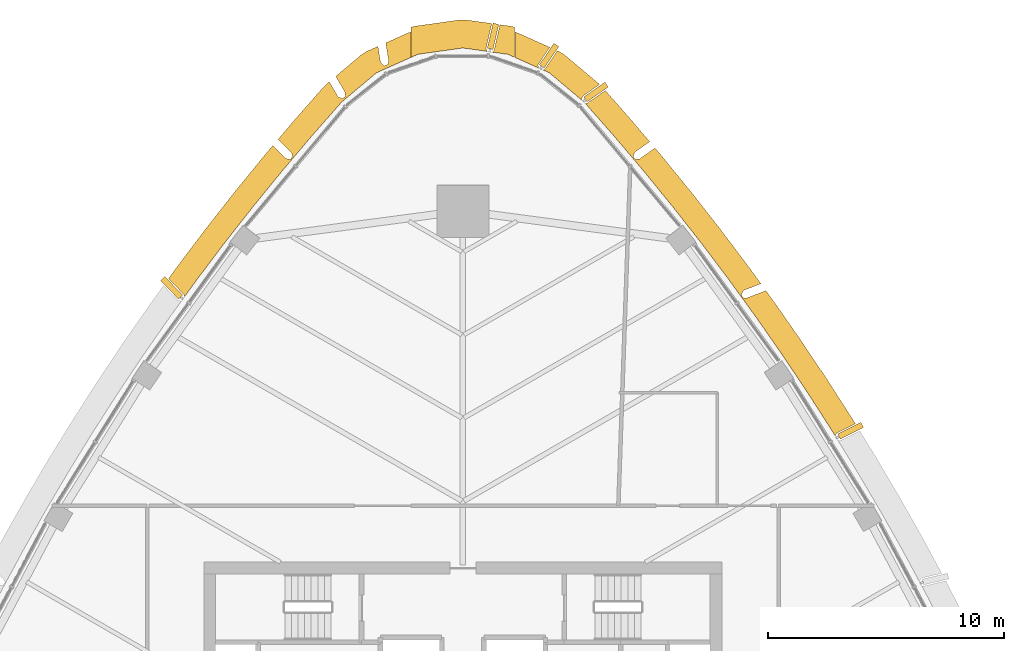
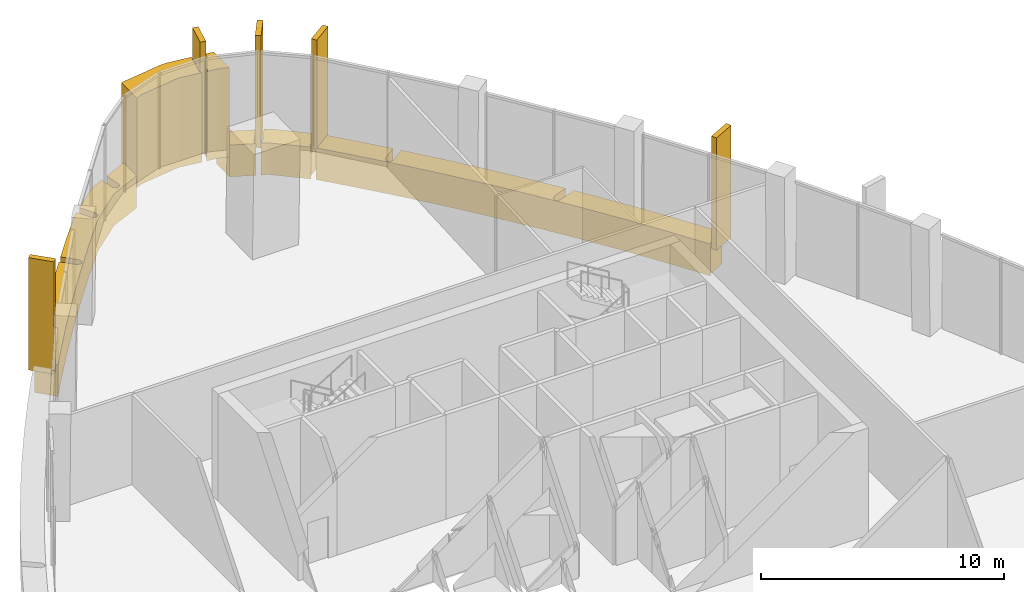
# One storey, part 18 of 19: 11 coverings.
"""IFC4 building model written with IfcOpenShell, lengths in metres."""

import ifcopenshell
import ifcopenshell.guid

model = None  # the IFC model being written
_history = None  # IfcOwnerHistory: only IFC2X3 demands one
_inside = {}  # id of a spatial element -> (the spatial element, [elements in it])
_under = {}  # id of a project, library or spatial element -> (it, [spatial elements below it])
_declared = {}  # id of a project -> (the project, [libraries it declares])
_typed = {}  # id of a type object -> (the type object, [elements of that type])
_made_of = {}  # id of a material, layer set ... -> (it, [elements and type objects made of it])


def new_model(schema):
    """Start an empty IFC model of exactly this schema.

    Asked for "IFC4X3", IfcOpenShell would pick the latest addendum, in which some entities
    have other attributes; the version numbers below select the first issue.
    IFC2X3 requires an IfcOwnerHistory on every rooted entity: one is made here for all.
    """
    global model, _history
    if schema == "IFC4X3":
        model = ifcopenshell.file(schema_version=(4, 3, 0, 0))
    else:
        model = ifcopenshell.file(schema=schema)
    _inside.clear()
    _under.clear()
    _declared.clear()
    _typed.clear()
    _made_of.clear()
    _history = None
    if model.schema == "IFC2X3":
        org = make("IfcOrganization", Name="unknown")
        user = make(
            "IfcPersonAndOrganization",
            ThePerson=make("IfcPerson", FamilyName="unknown"),
            TheOrganization=org,
        )
        app = make(
            "IfcApplication",
            ApplicationDeveloper=org,
            Version="unknown",
            ApplicationFullName="unknown",
            ApplicationIdentifier="unknown",
        )
        _history = make(
            "IfcOwnerHistory",
            OwningUser=user,
            OwningApplication=app,
            ChangeAction="ADDED",
            CreationDate=0,
        )
    return model


def make(cls, **values):
    """One entity of the class cls with the attributes given. An attribute that is None is left unset."""
    return model.create_entity(
        cls, **{name: value for name, value in values.items() if value is not None}
    )


def rooted(cls, **values):
    """An entity with a GlobalId (a new one), such as an element, a storey or a relation."""
    return make(cls, GlobalId=ifcopenshell.guid.new(), OwnerHistory=_history, **values)


def si_unit(unit_type, name, prefix=None):
    """IfcSIUnit, for example si_unit("LENGTHUNIT", "METRE", prefix="MILLI")."""
    return make("IfcSIUnit", UnitType=unit_type, Prefix=prefix, Name=name)


def assignment(units):
    """IfcUnitAssignment: the units of a project."""
    return None if units is None else make("IfcUnitAssignment", Units=units)


def point(xyz):
    """IfcCartesianPoint."""
    return None if xyz is None else make("IfcCartesianPoint", Coordinates=xyz)


def direction(xyz):
    """IfcDirection."""
    return None if xyz is None else make("IfcDirection", DirectionRatios=xyz)


def frame(location, z_axis=None, x_axis=None):
    """IfcAxis2Placement3D, a coordinate frame: its origin and axes. An axis left out is left unset."""
    return make(
        "IfcAxis2Placement3D",
        Location=point(location),
        Axis=direction(z_axis),
        RefDirection=direction(x_axis),
    )


def frame_2d(location, x_axis=None):
    """IfcAxis2Placement2D, a coordinate frame in the plane: its origin and x axis."""
    return make(
        "IfcAxis2Placement2D", Location=point(location), RefDirection=direction(x_axis)
    )


def origin():
    """The frame at (0, 0, 0) with its axes left unset."""
    return frame((0.0, 0.0, 0.0))


def origin_2d():
    """The frame at (0, 0) in the plane with its x axis left unset."""
    return frame_2d((0.0, 0.0))


def place(relative_to, where):
    """IfcLocalPlacement: puts the frame where relative to a parent placement (None: the world)."""
    return make(
        "IfcLocalPlacement", PlacementRelTo=relative_to, RelativePlacement=where
    )


def context(
    kind, dimensions, precision=None, world=None, true_north=None, identifier=None
):
    """IfcGeometricRepresentationContext, for example the 3D "Model" context."""
    return make(
        "IfcGeometricRepresentationContext",
        ContextIdentifier=identifier,
        ContextType=kind,
        CoordinateSpaceDimension=dimensions,
        Precision=precision,
        WorldCoordinateSystem=world,
        TrueNorth=true_north,
    )


def subcontext(parent, identifier, kind, view, scale=None):
    """IfcGeometricRepresentationSubContext, for example "Body" below "Model"."""
    return make(
        "IfcGeometricRepresentationSubContext",
        ContextIdentifier=identifier,
        ContextType=kind,
        ParentContext=parent,
        TargetScale=scale,
        TargetView=view,
    )


def project(units=None, contexts=None):
    """IfcProject with its units and contexts."""
    return rooted(
        "IfcProject",
        Name="project",
        RepresentationContexts=contexts,
        UnitsInContext=assignment(units),
    )


def spatial(cls, under=None, at=None, **own):
    """A site, building, storey or space (cls), placed at a placement, below another one or the project."""
    s = rooted(cls, ObjectPlacement=at, **own)
    if under is not None:
        _under.setdefault(under.id(), (under, []))[1].append(s)
    return s


def polyline(points):
    """IfcPolyline through the points."""
    return make("IfcPolyline", Points=[point(p) for p in points])


def profile(cls, at=None, kind="AREA", **sizes):
    """A parametric profile (cls). Its sizes go by their IFC names, for example OverallWidth=200.0."""
    return make(cls, ProfileType=kind, Position=at, **sizes)


def rectangle(**sizes):
    """IfcRectangleProfileDef."""
    return profile("IfcRectangleProfileDef", **sizes)


def outline(outer, holes=None, kind="AREA"):
    """IfcArbitraryClosedProfileDef: a profile drawn as a closed curve; with holes, ...WithVoids."""
    if holes is None:
        return make("IfcArbitraryClosedProfileDef", ProfileType=kind, OuterCurve=outer)
    return make(
        "IfcArbitraryProfileDefWithVoids",
        ProfileType=kind,
        OuterCurve=outer,
        InnerCurves=holes,
    )


def extrude(swept, where, along, depth):
    """IfcExtrudedAreaSolid: the profile swept, set in the frame where, extruded along a direction by depth."""
    return make(
        "IfcExtrudedAreaSolid",
        SweptArea=swept,
        Position=where,
        ExtrudedDirection=direction(along),
        Depth=depth,
    )


def shape(context_of_items, identifier, shape_type, items):
    """IfcShapeRepresentation: the items that make up one representation, for example the "Body"."""
    return make(
        "IfcShapeRepresentation",
        ContextOfItems=context_of_items,
        RepresentationIdentifier=identifier,
        RepresentationType=shape_type,
        Items=items,
    )


def material(Name=None, Category=None):
    """IfcMaterial."""
    return make("IfcMaterial", Name=Name, Category=Category)


def layer(
    of_material, thickness, ventilated=None, Name=None, Category=None, Priority=None
):
    """IfcMaterialLayer: one layer of a wall or slab, of a material (None: an air gap)."""
    return make(
        "IfcMaterialLayer",
        Material=of_material,
        LayerThickness=thickness,
        IsVentilated=ventilated,
        Name=Name,
        Category=Category,
        Priority=Priority,
    )


def layer_set(layers, Name=None):
    """IfcMaterialLayerSet."""
    return make("IfcMaterialLayerSet", MaterialLayers=layers, LayerSetName=Name)


def material_profile(
    of_material, cross_section, Name=None, Category=None, Priority=None
):
    """IfcMaterialProfile: a cross section and its material."""
    return make(
        "IfcMaterialProfile",
        Name=Name,
        Material=of_material,
        Profile=cross_section,
        Priority=Priority,
        Category=Category,
    )


def profile_set(profiles, Name=None, composite=None):
    """IfcMaterialProfileSet."""
    return make(
        "IfcMaterialProfileSet",
        Name=Name,
        MaterialProfiles=profiles,
        CompositeProfile=composite,
    )


def made_of(thing, what):
    """Note that an element or type object is made of a material, layer set ...; save() writes the relation."""
    if what is not None:
        _made_of.setdefault(what.id(), (what, []))[1].append(thing)
    return thing


def type_object(cls, material=None, **own):
    """A type object (cls), such as IfcWallType, which elements share."""
    return made_of(rooted(cls, **own), material)


def element(
    cls,
    number,
    at=None,
    inside=None,
    cuts=None,
    type_object=None,
    material=None,
    context=None,
    identifier="Body",
    shape_type=None,
    held_by="IfcProductDefinitionShape",
    body=None,
    shapes=None,
    **own,
):
    """One element of the class cls, such as IfcWall. Its Tag is "e" and its number.

    at: its placement. inside: the storey or other place that contains it. cuts: it is an
    opening in that element (IfcRelVoidsElement). A single representation is given by context,
    identifier, shape_type and body (its items); several are given by shapes. held_by: the class
    of the entity that holds the representations. save() writes the other relations.
    """
    e = rooted(cls, Tag="e%d" % number, ObjectPlacement=at, **own)
    if body is not None:
        shapes = [shape(context, identifier, shape_type, body)]
    if shapes is not None:
        e.Representation = make(held_by, Representations=shapes)
    if inside is not None:
        _inside.setdefault(inside.id(), (inside, []))[1].append(e)
    if cuts is not None:
        rooted(
            "IfcRelVoidsElement", RelatingBuildingElement=cuts, RelatedOpeningElement=e
        )
    if type_object is not None:
        _typed.setdefault(type_object.id(), (type_object, []))[1].append(e)
    return made_of(e, material)


def aggregate(whole, parts):
    """IfcRelAggregates: a whole, such as a stair, and the parts it consists of."""
    return rooted("IfcRelAggregates", RelatingObject=whole, RelatedObjects=parts)


def save(model, path):
    """Write the relations noted so far, then the file.

    IfcRelAggregates (storeys below a building ...), IfcRelContainedInSpatialStructure (elements
    in a storey), IfcRelDefinesByType, IfcRelAssociatesMaterial and IfcRelDeclares: one each for
    every whole, place, type object, material and project.
    """
    for whole, parts in _under.values():
        aggregate(whole, parts)
    for where, things in _inside.values():
        rooted(
            "IfcRelContainedInSpatialStructure",
            RelatedElements=things,
            RelatingStructure=where,
        )
    for kind, things in _typed.values():
        rooted("IfcRelDefinesByType", RelatedObjects=things, RelatingType=kind)
    for what, things in _made_of.values():
        rooted("IfcRelAssociatesMaterial", RelatedObjects=things, RelatingMaterial=what)
    for by, libraries in _declared.values():
        rooted("IfcRelDeclares", RelatingContext=by, RelatedDefinitions=libraries)
    model.write(path)


model = new_model("IFC4")

# Units and contexts
model_context = context("Model", 3, precision=1e-05, world=origin(), true_north=direction((0.0, 1.0)))
body_context = subcontext(model_context, "Body", "Model", "MODEL_VIEW")
ifc_project = project(units=[si_unit("LENGTHUNIT", "METRE"), si_unit("AREAUNIT", "SQUARE_METRE"), si_unit("VOLUMEUNIT", "CUBIC_METRE"), si_unit("PLANEANGLEUNIT", "RADIAN"), si_unit("MASSUNIT", "GRAM", prefix="KILO")], contexts=[model_context])

# Site, building, storey
site_placement = place(None, origin())
site = spatial("IfcSite", under=ifc_project, at=site_placement, CompositionType="ELEMENT")
building_placement = place(site_placement, origin())
building = spatial("IfcBuilding", under=site, at=building_placement, Name="Sierra Prisma Convention Tower", CompositionType="ELEMENT")
storey_placement = place(building_placement, frame((0.0, 0.0, 319.0)))
storey = spatial("IfcBuildingStorey", under=building, at=storey_placement, Name="L73", CompositionType="ELEMENT", Elevation=319.0)

# Coverings
ifc_material_1 = material(Name="Aluminium composite bronze anodised", Category="aluminium")
ifc_layer_1 = layer(ifc_material_1, 1.199951171875)
ifc_layer_set_1 = layer_set([ifc_layer_1], Name="Bronze corner pier")
covering_type_1 = type_object("IfcCoveringType", Name="Bronze corner pier", PredefinedType="CLADDING", material=ifc_layer_set_1)
covering_1_placement = place(storey_placement, frame((0.0, 0.0, -0.60009765625)))
element("IfcCovering", 1, at=covering_1_placement, inside=storey, type_object=covering_type_1, Name="Corner pier N L73.1", PredefinedType="CLADDING", context=body_context, shape_type="SweptSolid", body=[
    extrude(outline(polyline([(1.318603515625, 29.730712890625), (1.321533203125, 29.73486328125), (1.323974609375, 29.739501953125), (1.32568359375, 29.744140625), (1.3271484375, 29.7490234375), (1.574951171875, 30.8203125), (2.077880859375, 30.749267578125), (2.199951171875, 30.714111328125), (2.199951171875, 29.431884765625), (1.910400390625, 29.56103515625), (1.24951171875, 29.654296875), (1.3154296875, 29.7265625), (1.318603515625, 29.730712890625)])), origin(), (0.0, 0.0, 1.0), 4.5),
])
covering_2_placement = place(storey_placement, frame((0.0, 0.0, -0.60009765625)))
element("IfcCovering", 2, at=covering_2_placement, inside=storey, type_object=covering_type_1, Name="Corner pier N L73.2", PredefinedType="CLADDING", context=body_context, shape_type="SweptSolid", body=[
    extrude(outline(polyline([(-2.077880859375, 30.749267578125), (-0.16748046875, 31.0185546875), (0.16748046875, 31.0185546875), (1.22705078125, 30.869140625), (0.986083984375, 29.827880859375), (0.9853515625, 29.822998046875), (0.98486328125, 29.81787109375), (0.985107421875, 29.81298828125), (0.985595703125, 29.807861328125), (0.98681640625, 29.802978515625), (0.98828125, 29.798095703125), (1.033447265625, 29.6845703125), (0.0, 29.830322265625), (-1.910400390625, 29.56103515625), (-2.199951171875, 29.431884765625), (-2.199951171875, 30.714111328125), (-2.077880859375, 30.749267578125)])), origin(), (0.0, 0.0, 1.0), 4.5),
])
ifc_material_2 = material(Name="Aluminium 6063-T6 bronze anodised", Category="aluminium")
ifc_material_profile = material_profile(ifc_material_2, rectangle(XDim=1.10009765625, YDim=0.25, at=origin_2d()), Name="ALU FIN 1100x250")
ifc_profile_set = profile_set([ifc_material_profile], Name="Aluminium 6063-T6 bronze anodised")
covering_type_2 = type_object("IfcCoveringType", Name="Bronze facade fin", PredefinedType="CLADDING", material=ifc_profile_set)
for number, where, z_axis, x_axis, name in (
    (3, (16.45654296875, 13.58056640625, -0.300048828125), (0.0, 0.0, 1.0), (0.893997870829, 0.448071207457, 0.0), "Fin L73.33"),
    (4, (5.649658203125, 27.960693359375, -0.300048828125), (0.0, 0.0, 1.0), (0.82015176562, 0.57214603149, 0.0), "Fin L73.40"),
    (5, (3.65869140625, 29.505126953125, -0.300048828125), (0.0, 0.0, 1.0), (0.560060667038, 0.828451597401, 0.0), "Fin L73.41"),
    (6, (1.280517578125, 30.32421875, -0.300048828125), (0.0, 0.0, 1.0), (0.225291122401, 0.974291491376, 0.0), "Fin L73.42"),
    (7, (-12.361328125, 19.64599609375, -0.300048828125), (0.0, 0.0, 1.0), (-0.695411197231, 0.718612041902, 0.0), "Fin L73.49"),
):
    element("IfcCovering", number, at=place(storey_placement, frame(where, z_axis=z_axis, x_axis=x_axis)), inside=storey, type_object=covering_type_2, Name=name, ObjectType="FIN", PredefinedType="CLADDING", context=body_context, shape_type="SweptSolid", body=[
        extrude(rectangle(XDim=1.10009765625, YDim=0.25, at=origin_2d()), origin(), (0.0, 0.0, 1.0), 5.650146484375),
    ])
ifc_material_3 = material(Name="Aluminium composite bronze anodised", Category="aluminium")
ifc_layer_2 = layer(ifc_material_3, 1.0)
ifc_layer_set_2 = layer_set([ifc_layer_2], Name="Bronze spandrel band")
covering_type_3 = type_object("IfcCoveringType", Name="Bronze spandrel band", PredefinedType="CLADDING", material=ifc_layer_set_2)
covering_3_placement = place(storey_placement, frame((0.0, 0.0, -1.60009765625)))
element("IfcCovering", 8, at=covering_3_placement, inside=storey, type_object=covering_type_3, Name="Spandrel band L73.6", PredefinedType="CLADDING", context=body_context, shape_type="SweptSolid", body=[
    extrude(outline(polyline([(-8.468017578125, 25.215087890625), (-8.4560546875, 25.229736328125), (-8.068115234375, 25.687744140625), (-7.533203125, 25.148193359375), (-7.529296875, 25.14501953125), (-7.525390625, 25.141845703125), (-7.52099609375, 25.139404296875), (-7.5166015625, 25.13720703125), (-7.51171875, 25.135498046875), (-7.5068359375, 25.13427734375), (-7.35888671875, 25.106689453125), (-7.35400390625, 25.10595703125), (-7.349365234375, 25.105712890625), (-7.344482421875, 25.106201171875), (-7.33984375, 25.106689453125), (-7.335205078125, 25.10791015625), (-7.33056640625, 25.109619140625), (-7.326416015625, 25.111572265625), (-7.322021484375, 25.114013671875), (-7.318359375, 25.11669921875), (-7.314697265625, 25.1201171875), (-7.311279296875, 25.12353515625), (-7.246826171875, 25.19970703125), (-7.243896484375, 25.20361328125), (-7.2412109375, 25.207763671875), (-7.239013671875, 25.212158203125), (-7.2373046875, 25.216796875), (-7.236083984375, 25.221435546875), (-7.2353515625, 25.226318359375), (-7.235107421875, 25.23095703125), (-7.235107421875, 25.23583984375), (-7.235595703125, 25.24072265625), (-7.23681640625, 25.245361328125), (-7.27197265625, 25.372802734375), (-7.2734375, 25.377685546875), (-7.275634765625, 25.38232421875), (-7.2783203125, 25.38671875), (-7.28125, 25.390869140625), (-7.28466796875, 25.394775390625), (-7.841064453125, 25.9560546875), (-7.197509765625, 26.7158203125), (-7.18505859375, 26.72998046875), (-5.898681640625, 28.1923828125), (-5.7919921875, 28.296630859375), (-5.670654296875, 28.39892578125), (-5.30859375, 27.774658203125), (-5.305908203125, 27.770751953125), (-5.30322265625, 27.76708984375), (-5.300048828125, 27.763916015625), (-5.29638671875, 27.7607421875), (-5.292724609375, 27.758056640625), (-5.288818359375, 27.755615234375), (-5.284423828125, 27.753662109375), (-5.13720703125, 27.6923828125), (-5.132568359375, 27.690673828125), (-5.127685546875, 27.689453125), (-5.122802734375, 27.688720703125), (-5.117919921875, 27.6884765625), (-5.113037109375, 27.688720703125), (-5.10791015625, 27.689697265625), (-5.103271484375, 27.69091796875), (-5.0986328125, 27.6923828125), (-5.093994140625, 27.694580078125), (-5.08984375, 27.697265625), (-5.0859375, 27.7001953125), (-5.009521484375, 27.7646484375), (-5.005615234375, 27.768310546875), (-5.002197265625, 27.772216796875), (-4.999267578125, 27.7763671875), (-4.99658203125, 27.781005859375), (-4.99462890625, 27.78564453125), (-4.9931640625, 27.79052734375), (-4.9921875, 27.795654296875), (-4.99169921875, 27.80078125), (-4.99169921875, 27.805908203125), (-4.9990234375, 27.92822265625), (-4.99951171875, 27.932861328125), (-5.00048828125, 27.9375), (-5.001953125, 27.94189453125), (-5.003662109375, 27.9462890625), (-5.005859375, 27.9501953125), (-5.398681640625, 28.6279296875), (-4.31640625, 29.539306640625), (-4.079833984375, 29.6875), (-3.604248046875, 29.89990234375), (-3.4970703125, 29.2275390625), (-3.495849609375, 29.22265625), (-3.494384765625, 29.218017578125), (-3.492431640625, 29.21337890625), (-3.489990234375, 29.208984375), (-3.4873046875, 29.204833984375), (-3.48388671875, 29.201171875), (-3.48046875, 29.19775390625), (-3.353759765625, 29.08740234375), (-3.35009765625, 29.08447265625), (-3.345947265625, 29.081787109375), (-3.341796875, 29.07958984375), (-3.33740234375, 29.077880859375), (-3.3330078125, 29.07666015625), (-3.328125, 29.07568359375), (-3.323486328125, 29.0751953125), (-3.31884765625, 29.0751953125), (-3.314208984375, 29.07568359375), (-3.309326171875, 29.076416015625), (-3.304931640625, 29.077880859375), (-3.300537109375, 29.07958984375), (-3.209228515625, 29.120361328125), (-3.20458984375, 29.12255859375), (-3.20068359375, 29.125244140625), (-3.19677734375, 29.12841796875), (-3.193115234375, 29.131591796875), (-3.18994140625, 29.135498046875), (-3.18701171875, 29.139404296875), (-3.184814453125, 29.143798828125), (-3.1826171875, 29.1484375), (-3.18115234375, 29.153076171875), (-3.15234375, 29.261962890625), (-3.1513671875, 29.26708984375), (-3.15087890625, 29.272216796875), (-3.15087890625, 29.277587890625), (-3.1513671875, 29.28271484375), (-3.2734375, 30.047607421875), (-2.318115234375, 30.47412109375), (-2.2099609375, 30.50537109375), (-2.2099609375, 29.42724609375), (-3.672119140625, 28.7744140625), (-5.14794921875, 27.53173828125), (-6.434326171875, 26.069580078125), (-7.69287109375, 24.58349609375), (-8.923095703125, 23.073974609375), (-10.125, 21.541259765625), (-11.29736328125, 19.986328125), (-11.81591796875, 19.271484375), (-11.84130859375, 19.352783203125), (-11.843017578125, 19.357177734375), (-11.844970703125, 19.361328125), (-11.847412109375, 19.365234375), (-11.85009765625, 19.369140625), (-11.85302734375, 19.37255859375), (-12.49609375, 20.036865234375), (-12.107177734375, 20.573486328125), (-12.095947265625, 20.58837890625), (-10.92333984375, 22.143310546875), (-10.911865234375, 22.158447265625), (-9.710205078125, 23.69091796875), (-9.698486328125, 23.70556640625), (-8.468017578125, 25.215087890625)])), origin(), (0.0, 0.0, 1.0), 1.60009765625),
])
covering_4_placement = place(storey_placement, frame((0.0, 0.0, -1.60009765625)))
element("IfcCovering", 9, at=covering_4_placement, inside=storey, type_object=covering_type_3, Name="Spandrel band L73.7", PredefinedType="CLADDING", context=body_context, shape_type="SweptSolid", body=[
    extrude(outline(polyline([(3.198486328125, 29.130615234375), (3.197509765625, 29.1259765625), (3.197265625, 29.121337890625), (3.197265625, 29.11669921875), (3.204833984375, 28.983154296875), (2.2099609375, 29.42724609375), (2.2099609375, 30.50537109375), (2.318115234375, 30.47412109375), (3.68896484375, 29.8623046875), (3.205810546875, 29.1474609375), (3.203369140625, 29.1435546875), (3.201416015625, 29.139404296875), (3.19970703125, 29.135009765625), (3.198486328125, 29.130615234375)])), origin(), (0.0, 0.0, 1.0), 1.60009765625),
])
covering_5_placement = place(storey_placement, frame((0.0, 0.0, -1.60009765625)))
element("IfcCovering", 10, at=covering_5_placement, inside=storey, type_object=covering_type_3, Name="Spandrel band L73.8", PredefinedType="CLADDING", context=body_context, shape_type="SweptSolid", body=[
    extrude(outline(polyline([(5.084716796875, 27.775390625), (5.08251953125, 27.77099609375), (5.080322265625, 27.766357421875), (5.078857421875, 27.76171875), (5.041015625, 27.621826171875), (3.672119140625, 28.7744140625), (3.404296875, 28.89404296875), (3.478759765625, 28.935791015625), (3.482666015625, 28.938232421875), (3.486328125, 28.941162109375), (3.48974609375, 28.9443359375), (3.492919921875, 28.94775390625), (3.49560546875, 28.951416015625), (4.013427734375, 29.71728515625), (4.079833984375, 29.6875), (4.31640625, 29.539306640625), (5.7919921875, 28.296630859375), (5.805908203125, 28.283203125), (5.098388671875, 27.78955078125), (5.094482421875, 27.78662109375), (5.0908203125, 27.783203125), (5.087646484375, 27.779296875), (5.084716796875, 27.775390625)])), origin(), (0.0, 0.0, 1.0), 1.60009765625),
])
covering_6_placement = place(storey_placement, frame((0.0, 0.0, -1.60009765625)))
element("IfcCovering", 11, at=covering_6_placement, inside=storey, type_object=covering_type_3, Name="Spandrel band L73.9", PredefinedType="CLADDING", context=body_context, shape_type="SweptSolid", body=[
    extrude(outline(polyline([(7.289794921875, 25.390869140625), (7.238037109375, 25.249267578125), (7.236572265625, 25.24462890625), (7.235595703125, 25.239990234375), (7.235107421875, 25.2353515625), (7.235107421875, 25.23046875), (7.2353515625, 25.225830078125), (7.236083984375, 25.220947265625), (7.237548828125, 25.21630859375), (7.2392578125, 25.2119140625), (7.241455078125, 25.207763671875), (7.243896484375, 25.20361328125), (7.246826171875, 25.19970703125), (7.311279296875, 25.12353515625), (7.314697265625, 25.1201171875), (7.318359375, 25.11669921875), (7.322265625, 25.114013671875), (7.326416015625, 25.111572265625), (7.330810546875, 25.109375), (7.33544921875, 25.10791015625), (7.340087890625, 25.106689453125), (7.344970703125, 25.10595703125), (7.349853515625, 25.105712890625), (7.354736328125, 25.106201171875), (7.486083984375, 25.11962890625), (7.4912109375, 25.12060546875), (7.49609375, 25.121826171875), (7.5009765625, 25.12353515625), (7.505615234375, 25.1259765625), (7.510009765625, 25.128662109375), (8.155517578125, 25.584716796875), (8.4560546875, 25.229736328125), (8.468017578125, 25.215087890625), (9.698486328125, 23.70556640625), (9.710205078125, 23.69091796875), (10.911865234375, 22.158447265625), (10.92333984375, 22.143310546875), (12.095947265625, 20.58837890625), (12.107177734375, 20.573486328125), (12.652099609375, 19.82177734375), (11.938720703125, 19.548828125), (11.93408203125, 19.546875), (11.9296875, 19.54443359375), (11.92578125, 19.54150390625), (11.921875, 19.538330078125), (11.91845703125, 19.53466796875), (11.915283203125, 19.53076171875), (11.912841796875, 19.526611328125), (11.8310546875, 19.3798828125), (11.828857421875, 19.37548828125), (11.8271484375, 19.37109375), (11.825927734375, 19.36669921875), (11.824951171875, 19.362060546875), (11.82470703125, 19.357177734375), (11.82470703125, 19.3525390625), (11.8251953125, 19.347900390625), (11.826171875, 19.34326171875), (11.827392578125, 19.338623046875), (11.829345703125, 19.334228515625), (11.83154296875, 19.330078125), (11.833984375, 19.326171875), (11.892822265625, 19.2451171875), (11.89599609375, 19.2412109375), (11.8994140625, 19.23779296875), (11.9033203125, 19.234619140625), (11.9072265625, 19.231689453125), (11.91162109375, 19.2294921875), (11.916259765625, 19.2275390625), (11.9208984375, 19.22607421875), (11.92578125, 19.22509765625), (11.9306640625, 19.224609375), (12.043212890625, 19.21875), (12.04833984375, 19.21875), (12.0537109375, 19.21923828125), (12.05859375, 19.22021484375), (12.063720703125, 19.221923828125), (12.864501953125, 19.5283203125), (13.25, 18.99658203125), (13.260986328125, 18.981201171875), (14.3740234375, 17.38330078125), (14.384765625, 17.36767578125), (15.467529296875, 15.7490234375), (15.477783203125, 15.7333984375), (16.530029296875, 14.094482421875), (16.5400390625, 14.07861328125), (16.66259765625, 13.87939453125), (15.886474609375, 13.490478515625), (15.882080078125, 13.488037109375), (15.8779296875, 13.485107421875), (15.874267578125, 13.481689453125), (15.870849609375, 13.478271484375), (15.86767578125, 13.47412109375), (15.864990234375, 13.469970703125), (15.806396484375, 13.36279296875), (15.6884765625, 13.55419921875), (14.636474609375, 15.193115234375), (13.5537109375, 16.811767578125), (12.4404296875, 18.40966796875), (11.29736328125, 19.986328125), (10.125, 21.541259765625), (8.923095703125, 23.073974609375), (7.69287109375, 24.58349609375), (6.434326171875, 26.069580078125), (5.1953125, 27.47802734375), (5.27978515625, 27.494384765625), (5.28466796875, 27.49560546875), (5.28955078125, 27.49755859375), (5.294189453125, 27.499755859375), (5.298583984375, 27.50244140625), (6.046630859375, 28.024169921875), (7.18505859375, 26.72998046875), (7.197509765625, 26.7158203125), (7.92822265625, 25.852783203125), (7.307861328125, 25.414306640625), (7.303955078125, 25.411376953125), (7.30029296875, 25.40771484375), (7.297119140625, 25.404052734375), (7.294189453125, 25.39990234375), (7.291748046875, 25.3955078125), (7.289794921875, 25.390869140625)])), origin(), (0.0, 0.0, 1.0), 1.60009765625),
])

save(model, "model.ifc")
